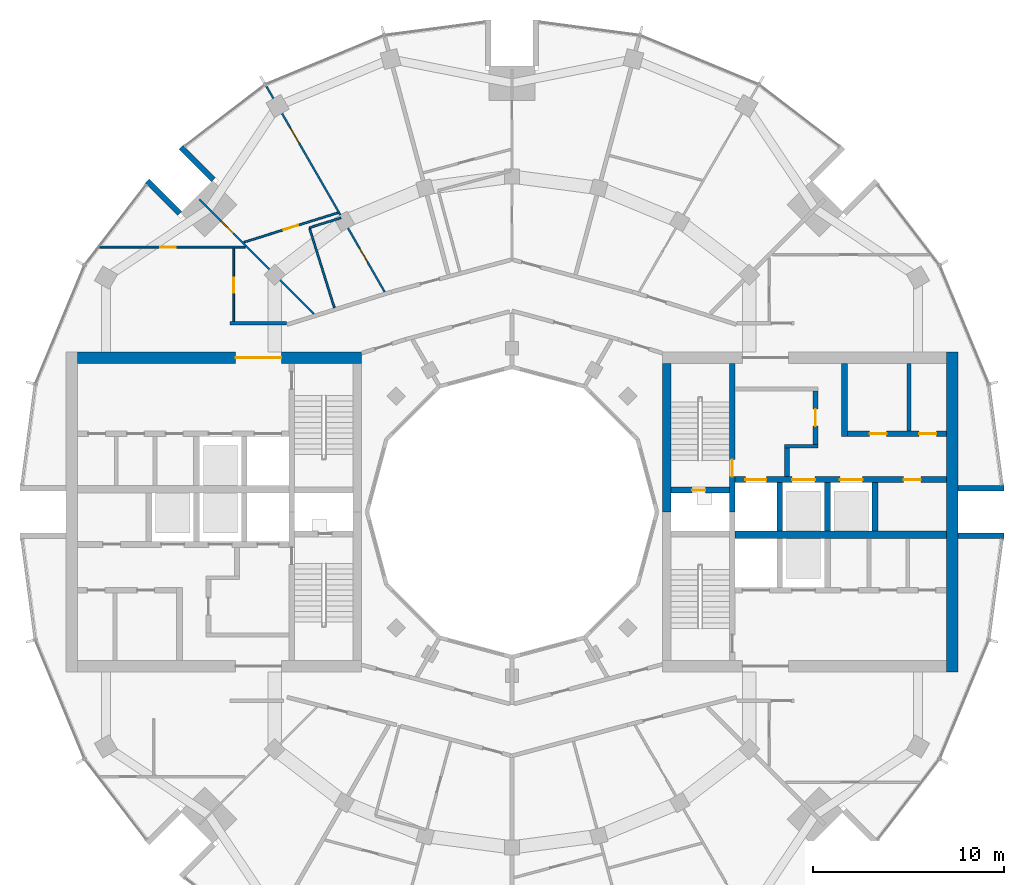
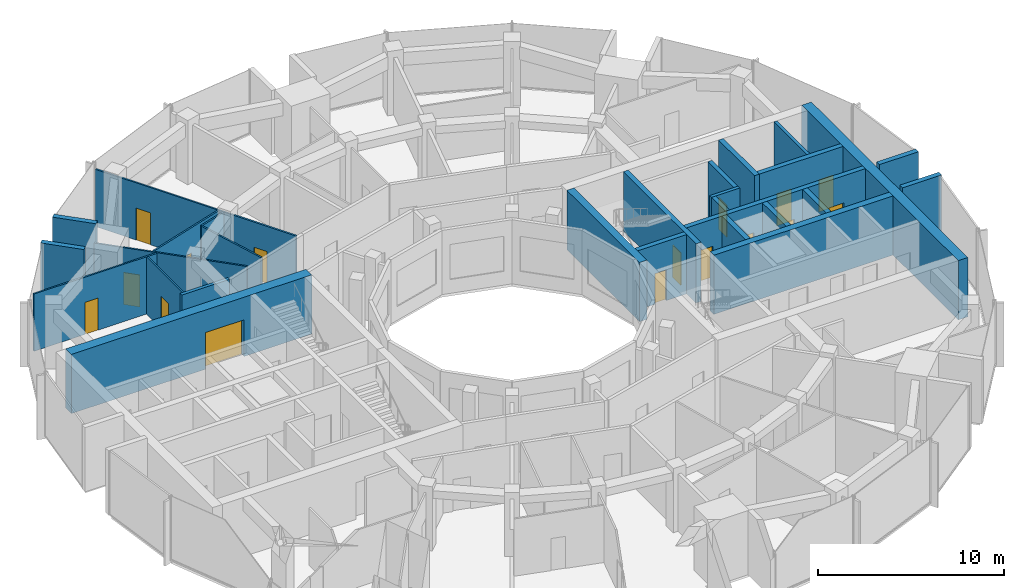
# One storey, part 11 of 15: 28 walls, 16 doors, 16 openings.
"""IFC4 building model written with IfcOpenShell, lengths in metres."""

from ifc_helpers import new_model, si_unit, direction, frame, frame_2d, origin, place, context, subcontext, project, spatial, rectangle, extrude, material, layer, layer_set, type_object, element, fill, save


model = new_model("IFC4")

# Units and contexts
model_context = context("Model", 3, precision=1e-05, world=origin(), true_north=direction((0.0, 1.0)))
body_context = subcontext(model_context, "Body", "Model", "MODEL_VIEW")
ifc_project = project(units=[si_unit("LENGTHUNIT", "METRE"), si_unit("AREAUNIT", "SQUARE_METRE"), si_unit("VOLUMEUNIT", "CUBIC_METRE"), si_unit("PLANEANGLEUNIT", "RADIAN"), si_unit("MASSUNIT", "GRAM", prefix="KILO")], contexts=[model_context])

# Site, building, storey
site_placement = place(None, origin())
site = spatial("IfcSite", under=ifc_project, at=site_placement, CompositionType="ELEMENT")
building_placement = place(site_placement, origin())
building = spatial("IfcBuilding", under=site, at=building_placement, Name="Torre Brocal", CompositionType="ELEMENT")
storey_placement = place(building_placement, frame((0.0, 0.0, 220.89990234375)))
storey = spatial("IfcBuildingStorey", under=building, at=storey_placement, Name="L51", CompositionType="ELEMENT", Elevation=220.89990234375)

# Walls
ifc_material_1 = material(Name="Masonry block", Category="masonry")
ifc_layer_1 = layer(ifc_material_1, 0.199951171875)
ifc_layer_set_1 = layer_set([ifc_layer_1], Name="Masonry block")
wall_type_1 = type_object("IfcWallType", Name="CORE PARTITION 200", PredefinedType="PARTITIONING", material=ifc_layer_set_1)
wall_1_placement = place(storey_placement, frame((100.823974609375, 79.25, 0.0), z_axis=(0.0, 0.0, 1.0), x_axis=(0.0, 1.0, 0.0)))
element("IfcWall", 1, at=wall_1_placement, inside=storey, type_object=wall_type_1, Name="Wall CP200", PredefinedType="PARTITIONING", context=body_context, shape_type="SweptSolid", body=[
    extrude(rectangle(XDim=3.550048828125, YDim=0.199951171875, at=frame_2d((1.77490234375, 0.0))), origin(), (0.0, 0.0, 1.0), 3.880126953125),
])
ifc_material_2 = material(Name="Concrete C60", Category="concrete")
ifc_layer_2 = layer(ifc_material_2, 0.199951171875)
ifc_layer_set_2 = layer_set([ifc_layer_2], Name="Concrete C60")
wall_type_2 = type_object("IfcWallType", Name="CORE WALL 200 C60", PredefinedType="SHEAR", material=ifc_layer_set_2)
wall_2_placement = place(storey_placement, frame((94.300048828125, 78.449951171875, 0.0), z_axis=(0.0, 0.0, 1.0), x_axis=(1.0, 0.0, 0.0)))
element("IfcWall", 2, at=wall_2_placement, inside=storey, type_object=wall_type_2, Name="Wall CW200-60", PredefinedType="SHEAR", context=body_context, shape_type="SweptSolid", body=[
    extrude(rectangle(XDim=1.75, YDim=0.199951171875, at=frame_2d((0.875, 0.0))), origin(), (0.0, 0.0, 1.0), 3.880126953125),
])

# Wall, opening, door
ifc_material_3 = material(Name="Concrete C60", Category="concrete")
ifc_layer_3 = layer(ifc_material_3, 0.25)
ifc_layer_set_3 = layer_set([ifc_layer_3], Name="Concrete C60")
wall_type_3 = type_object("IfcWallType", Name="CORE WALL 250 C60", PredefinedType="SHEAR", material=ifc_layer_set_3)
wall_3_placement = place(storey_placement, frame((95.925048828125, 78.550048828125, 0.0), z_axis=(0.0, 0.0, 1.0), x_axis=(0.0, 1.0, 0.0)))
wall_3 = element("IfcWall", 3, at=wall_3_placement, inside=storey, type_object=wall_type_3, Name="Wall CW250-60", PredefinedType="SHEAR", context=body_context, shape_type="SweptSolid", body=[
    extrude(rectangle(XDim=2.800048828125, YDim=0.25, at=frame_2d((1.39990234375, 0.0))), origin(), (0.0, 0.0, 1.0), 3.880126953125),
])
opening_1_placement = place(wall_3_placement, frame((0.949951171875, 0.0, 0.0)))
opening_1 = element("IfcOpeningElement", 4, at=opening_1_placement, cuts=wall_3, Name="Opening E-D08", PredefinedType="OPENING", context=body_context, shape_type="SweptSolid", body=[
    extrude(rectangle(XDim=0.89990234375, YDim=2.10009765625, at=frame_2d((0.449951171875, 1.050048828125))), frame((0.0, 0.135009765625, 0.0), z_axis=(0.0, -1.0, 0.0), x_axis=(1.0, 0.0, 0.0)), (0.0, 0.0, 1.0), 0.27001953125),
])
ifc_material_4 = material(Name="Steel A653", Category="steel")
door_type_1 = type_object("IfcDoorType", Name="LOBBY DOOR FD120 900X2100", OperationType="SINGLE_SWING_RIGHT", PredefinedType="DOOR", material=ifc_material_4)
door_1_placement = place(opening_1_placement, origin())
door_1 = element("IfcDoor", 5, at=door_1_placement, inside=storey, type_object=door_type_1, Name="Door E-D08", OperationType="SINGLE_SWING_LEFT", OverallHeight=2.10009765625, OverallWidth=0.89990234375, PredefinedType="DOOR", context=body_context, shape_type="SweptSolid", body=[
    extrude(rectangle(XDim=0.89990234375, YDim=2.10009765625, at=frame_2d((0.449951171875, 1.050048828125))), frame((0.0, 0.02490234375, 0.0), z_axis=(0.0, -1.0, 0.0), x_axis=(1.0, 0.0, 0.0)), (0.0, 0.0, 1.0), 0.050048828125),
])
fill(opening_1, door_1)

# Wall
wall_4_placement = place(storey_placement, frame((94.425048828125, 76.85009765625, 0.0), z_axis=(0.0, 0.0, 1.0), x_axis=(0.0, 1.0, 0.0)))
element("IfcWall", 6, at=wall_4_placement, inside=storey, type_object=wall_type_3, Name="Wall CW250-60", PredefinedType="SHEAR", context=body_context, shape_type="SweptSolid", body=[
    extrude(rectangle(XDim=1.5, YDim=0.25, at=frame_2d((0.75, 0.0))), origin(), (0.0, 0.0, 1.0), 3.880126953125),
])

# Wall, opening, door
ifc_material_5 = material(Name="Concrete C60", Category="concrete")
ifc_layer_4 = layer(ifc_material_5, 0.300048828125)
ifc_layer_set_4 = layer_set([ifc_layer_4], Name="Concrete C60")
wall_type_4 = type_object("IfcWallType", Name="CORE WALL 300 C60", PredefinedType="SHEAR", material=ifc_layer_set_4)
wall_5_placement = place(storey_placement, frame((91.550048828125, 75.0, 0.0), z_axis=(0.0, 0.0, 1.0), x_axis=(0.0, 1.0, 0.0)))
wall_5 = element("IfcWall", 7, at=wall_5_placement, inside=storey, type_object=wall_type_4, Name="Wall CW300-60", PredefinedType="SHEAR", context=body_context, shape_type="SweptSolid", body=[
    extrude(rectangle(XDim=7.800048828125, YDim=0.300048828125, at=frame_2d((3.89990234375, 0.0))), origin(), (0.0, 0.0, 1.0), 3.880126953125),
])
opening_2_placement = place(wall_5_placement, frame((1.85009765625, 0.0, 0.0)))
opening_2 = element("IfcOpeningElement", 8, at=opening_2_placement, cuts=wall_5, Name="Opening E-D02", PredefinedType="OPENING", context=body_context, shape_type="SweptSolid", body=[
    extrude(rectangle(XDim=0.89990234375, YDim=2.10009765625, at=frame_2d((0.449951171875, 1.050048828125))), frame((0.0, 0.159912109375, 0.0), z_axis=(0.0, -1.0, 0.0), x_axis=(1.0, 0.0, 0.0)), (0.0, 0.0, 1.0), 0.320068359375),
])
ifc_material_6 = material(Name="Steel A653", Category="steel")
door_type_2 = type_object("IfcDoorType", Name="STAIR DOOR FD120 900X2100", OperationType="SINGLE_SWING_RIGHT", PredefinedType="DOOR", material=ifc_material_6)
door_2_placement = place(opening_2_placement, origin())
door_2 = element("IfcDoor", 9, at=door_2_placement, inside=storey, type_object=door_type_2, Name="Door E-D02", OperationType="SINGLE_SWING_LEFT", OverallHeight=2.10009765625, OverallWidth=0.89990234375, PredefinedType="DOOR", context=body_context, shape_type="SweptSolid", body=[
    extrude(rectangle(XDim=0.89990234375, YDim=2.10009765625, at=frame_2d((0.449951171875, 1.050048828125))), frame((0.0, 0.02490234375, 0.0), z_axis=(0.0, -1.0, 0.0), x_axis=(1.0, 0.0, 0.0)), (0.0, 0.0, 1.0), 0.050048828125),
])
fill(opening_2, door_2)

wall_6_placement = place(storey_placement, frame((88.35009765625, 76.14990234375, 0.0), z_axis=(0.0, 0.0, 1.0), x_axis=(1.0, 0.0, 0.0)))
wall_6 = element("IfcWall", 10, at=wall_6_placement, inside=storey, type_object=wall_type_4, Name="Wall CW300-60", PredefinedType="SHEAR", context=body_context, shape_type="SweptSolid", body=[
    extrude(rectangle(XDim=3.0498046875, YDim=0.300048828125, at=frame_2d((1.52490234375, 0.0))), origin(), (0.0, 0.0, 1.0), 3.880126953125),
])
opening_3_placement = place(wall_6_placement, frame((1.10009765625, 0.0, 0.0)))
opening_3 = element("IfcOpeningElement", 11, at=opening_3_placement, cuts=wall_6, Name="Opening E-D01", PredefinedType="OPENING", context=body_context, shape_type="SweptSolid", body=[
    extrude(rectangle(XDim=0.699951171875, YDim=2.0, at=frame_2d((0.35009765625, 1.0))), frame((0.0, 0.159912109375, 0.0), z_axis=(0.0, -1.0, 0.0), x_axis=(1.0, 0.0, 0.0)), (0.0, 0.0, 1.0), 0.320068359375),
])
ifc_material_7 = material(Name="Steel A653", Category="steel")
door_type_3 = type_object("IfcDoorType", Name="RISER DOOR FD120 700X2000", OperationType="SINGLE_SWING_LEFT", PredefinedType="DOOR", material=ifc_material_7)
door_3_placement = place(opening_3_placement, frame((0.699951171875, 0.0, 0.0), z_axis=(0.0, 0.0, 1.0), x_axis=(-1.0, 0.0, 0.0)))
door_3 = element("IfcDoor", 12, at=door_3_placement, inside=storey, type_object=door_type_3, Name="Door E-D01", OperationType="SINGLE_SWING_RIGHT", OverallHeight=2.0, OverallWidth=0.699951171875, PredefinedType="DOOR", context=body_context, shape_type="SweptSolid", body=[
    extrude(rectangle(XDim=0.699951171875, YDim=2.0, at=frame_2d((0.35009765625, 1.0))), frame((0.0, 0.02490234375, 0.0), z_axis=(0.0, -1.0, 0.0), x_axis=(1.0, 0.0, 0.0)), (0.0, 0.0, 1.0), 0.050048828125),
])
fill(opening_3, door_3)

# Wall, openings, doors
wall_7_placement = place(storey_placement, frame((91.699951171875, 76.699951171875, 0.0), z_axis=(0.0, 0.0, 1.0), x_axis=(1.0, 0.0, 0.0)))
wall_7 = element("IfcWall", 13, at=wall_7_placement, inside=storey, type_object=wall_type_4, Name="Wall CW300-60", PredefinedType="SHEAR", context=body_context, shape_type="SweptSolid", body=[
    extrude(rectangle(XDim=11.10009765625, YDim=0.300048828125, at=frame_2d((5.550048828125, 0.0))), origin(), (0.0, 0.0, 1.0), 3.880126953125),
])
opening_4_placement = place(wall_7_placement, frame((0.550048828125, 0.0, 0.0)))
opening_4 = element("IfcOpeningElement", 14, at=opening_4_placement, cuts=wall_7, Name="Opening LD", PredefinedType="OPENING", context=body_context, shape_type="SweptSolid", body=[
    extrude(rectangle(XDim=1.10009765625, YDim=2.10009765625, at=frame_2d((0.550048828125, 1.050048828125))), frame((0.0, 0.159912109375, 0.0), z_axis=(0.0, -1.0, 0.0), x_axis=(1.0, 0.0, 0.0)), (0.0, 0.0, 1.0), 0.320068359375),
])
opening_5_placement = place(wall_7_placement, frame((3.0, 0.0, 0.0)))
opening_5 = element("IfcOpeningElement", 15, at=opening_5_placement, cuts=wall_7, Name="Opening LD12", PredefinedType="OPENING", context=body_context, shape_type="SweptSolid", body=[
    extrude(rectangle(XDim=1.199951171875, YDim=2.10009765625, at=frame_2d((0.60009765625, 1.050048828125))), frame((0.0, 0.159912109375, 0.0), z_axis=(0.0, -1.0, 0.0), x_axis=(1.0, 0.0, 0.0)), (0.0, 0.0, 1.0), 0.320068359375),
])
opening_6_placement = place(wall_7_placement, frame((5.5, 0.0, 0.0)))
opening_6 = element("IfcOpeningElement", 16, at=opening_6_placement, cuts=wall_7, Name="Opening LD12", PredefinedType="OPENING", context=body_context, shape_type="SweptSolid", body=[
    extrude(rectangle(XDim=1.199951171875, YDim=2.10009765625, at=frame_2d((0.60009765625, 1.050048828125))), frame((0.0, 0.159912109375, 0.0), z_axis=(0.0, -1.0, 0.0), x_axis=(1.0, 0.0, 0.0)), (0.0, 0.0, 1.0), 0.320068359375),
])
opening_7_placement = place(wall_7_placement, frame((8.85009765625, 0.0, 0.0)))
opening_7 = element("IfcOpeningElement", 17, at=opening_7_placement, cuts=wall_7, Name="Opening E-D04", PredefinedType="OPENING", context=body_context, shape_type="SweptSolid", body=[
    extrude(rectangle(XDim=0.89990234375, YDim=2.10009765625, at=frame_2d((0.449951171875, 1.050048828125))), frame((0.0, 0.159912109375, 0.0), z_axis=(0.0, -1.0, 0.0), x_axis=(1.0, 0.0, 0.0)), (0.0, 0.0, 1.0), 0.320068359375),
])
ifc_material_8 = material(Name="Stainless steel AISI 316", Category="steel")
door_type_4 = type_object("IfcDoorType", Name="LIFT LANDING DOOR 1100X2100", OperationType="DOUBLE_DOOR_SLIDING", PredefinedType="DOOR", material=ifc_material_8)
door_4_placement = place(opening_4_placement, origin())
door_4 = element("IfcDoor", 18, at=door_4_placement, inside=storey, type_object=door_type_4, Name="Door LD", OperationType="DOUBLE_DOOR_SLIDING", OverallHeight=2.10009765625, OverallWidth=1.10009765625, PredefinedType="DOOR", context=body_context, shape_type="SweptSolid", body=[
    extrude(rectangle(XDim=1.10009765625, YDim=2.10009765625, at=frame_2d((0.550048828125, 1.050048828125))), frame((0.0, 0.02490234375, 0.0), z_axis=(0.0, -1.0, 0.0), x_axis=(1.0, 0.0, 0.0)), (0.0, 0.0, 1.0), 0.050048828125),
])
fill(opening_4, door_4)
ifc_material_9 = material(Name="Stainless steel AISI 316", Category="steel")
door_type_5 = type_object("IfcDoorType", Name="LIFT LANDING DOOR 1200X2100", OperationType="DOUBLE_DOOR_SLIDING", PredefinedType="DOOR", material=ifc_material_9)
door_5_placement = place(opening_5_placement, origin())
door_5 = element("IfcDoor", 19, at=door_5_placement, inside=storey, type_object=door_type_5, Name="Door LD12", OperationType="DOUBLE_DOOR_SLIDING", OverallHeight=2.10009765625, OverallWidth=1.199951171875, PredefinedType="DOOR", context=body_context, shape_type="SweptSolid", body=[
    extrude(rectangle(XDim=1.199951171875, YDim=2.10009765625, at=frame_2d((0.60009765625, 1.050048828125))), frame((0.0, 0.02490234375, 0.0), z_axis=(0.0, -1.0, 0.0), x_axis=(1.0, 0.0, 0.0)), (0.0, 0.0, 1.0), 0.050048828125),
])
fill(opening_5, door_5)
door_6_placement = place(opening_6_placement, origin())
door_6 = element("IfcDoor", 20, at=door_6_placement, inside=storey, type_object=door_type_5, Name="Door LD12", OperationType="DOUBLE_DOOR_SLIDING", OverallHeight=2.10009765625, OverallWidth=1.199951171875, PredefinedType="DOOR", context=body_context, shape_type="SweptSolid", body=[
    extrude(rectangle(XDim=1.199951171875, YDim=2.10009765625, at=frame_2d((0.60009765625, 1.050048828125))), frame((0.0, 0.02490234375, 0.0), z_axis=(0.0, -1.0, 0.0), x_axis=(1.0, 0.0, 0.0)), (0.0, 0.0, 1.0), 0.050048828125),
])
fill(opening_6, door_6)
ifc_material_10 = material(Name="Steel A653", Category="steel")
door_type_6 = type_object("IfcDoorType", Name="ROOM DOOR FD30S 900X2100", OperationType="SINGLE_SWING_LEFT", PredefinedType="DOOR", material=ifc_material_10)
door_7_placement = place(opening_7_placement, frame((0.89990234375, 0.0, 0.0), z_axis=(0.0, 0.0, 1.0), x_axis=(-1.0, 0.0, 0.0)))
door_7 = element("IfcDoor", 21, at=door_7_placement, inside=storey, type_object=door_type_6, Name="Door E-D04", OperationType="SINGLE_SWING_LEFT", OverallHeight=2.10009765625, OverallWidth=0.89990234375, PredefinedType="DOOR", context=body_context, shape_type="SweptSolid", body=[
    extrude(rectangle(XDim=0.89990234375, YDim=2.10009765625, at=frame_2d((0.449951171875, 1.050048828125))), frame((0.0, 0.02490234375, 0.0), z_axis=(0.0, -1.0, 0.0), x_axis=(1.0, 0.0, 0.0)), (0.0, 0.0, 1.0), 0.050048828125),
])
fill(opening_7, door_7)

# Walls
for number, where, z_axis, x_axis, name in (
    (22, (94.050048828125, 74.0, 0.0), (0.0, 0.0, 1.0), (0.0, 1.0, 0.0), "Wall CW300-60"),
    (23, (96.550048828125, 74.0, 0.0), (0.0, 0.0, 1.0), (0.0, 1.0, 0.0), "Wall CW300-60"),
    (24, (99.050048828125, 74.0, 0.0), (0.0, 0.0, 1.0), (0.0, 1.0, 0.0), "Wall CW300-60"),
):
    element("IfcWall", number, at=place(storey_placement, frame(where, z_axis=z_axis, x_axis=x_axis)), inside=storey, type_object=wall_type_4, Name=name, PredefinedType="SHEAR", context=body_context, shape_type="SweptSolid", body=[
        extrude(rectangle(XDim=2.550048828125, YDim=0.300048828125, at=frame_2d((1.27490234375, 0.0))), origin(), (0.0, 0.0, 1.0), 3.880126953125),
    ])
wall_8_placement = place(storey_placement, frame((97.449951171875, 78.949951171875, 0.0), z_axis=(0.0, 0.0, 1.0), x_axis=(0.0, 1.0, 0.0)))
element("IfcWall", 25, at=wall_8_placement, inside=storey, type_object=wall_type_4, Name="Wall CW300-60", PredefinedType="SHEAR", context=body_context, shape_type="SweptSolid", body=[
    extrude(rectangle(XDim=3.85009765625, YDim=0.300048828125, at=frame_2d((1.925048828125, 0.0))), origin(), (0.0, 0.0, 1.0), 3.880126953125),
])

# Wall, openings, doors
wall_9_placement = place(storey_placement, frame((97.60009765625, 79.10009765625, 0.0), z_axis=(0.0, 0.0, 1.0), x_axis=(1.0, 0.0, 0.0)))
wall_9 = element("IfcWall", 26, at=wall_9_placement, inside=storey, type_object=wall_type_4, Name="Wall CW300-60", PredefinedType="SHEAR", context=body_context, shape_type="SweptSolid", body=[
    extrude(rectangle(XDim=5.199951171875, YDim=0.300048828125, at=frame_2d((2.60009765625, 0.0))), origin(), (0.0, 0.0, 1.0), 3.880126953125),
])
opening_8_placement = place(wall_9_placement, frame((1.162109375, 0.0, 0.0)))
opening_8 = element("IfcOpeningElement", 27, at=opening_8_placement, cuts=wall_9, Name="Opening E-D09", PredefinedType="OPENING", context=body_context, shape_type="SweptSolid", body=[
    extrude(rectangle(XDim=0.89990234375, YDim=2.10009765625, at=frame_2d((0.449951171875, 1.050048828125))), frame((0.0, 0.159912109375, 0.0), z_axis=(0.0, -1.0, 0.0), x_axis=(1.0, 0.0, 0.0)), (0.0, 0.0, 1.0), 0.320068359375),
])
opening_9_placement = place(wall_9_placement, frame((3.761962890625, 0.0, 0.0)))
opening_9 = element("IfcOpeningElement", 28, at=opening_9_placement, cuts=wall_9, Name="Opening E-D10", PredefinedType="OPENING", context=body_context, shape_type="SweptSolid", body=[
    extrude(rectangle(XDim=0.89990234375, YDim=2.10009765625, at=frame_2d((0.449951171875, 1.050048828125))), frame((0.0, 0.159912109375, 0.0), z_axis=(0.0, -1.0, 0.0), x_axis=(1.0, 0.0, 0.0)), (0.0, 0.0, 1.0), 0.320068359375),
])
door_8_placement = place(opening_8_placement, origin())
door_8 = element("IfcDoor", 29, at=door_8_placement, inside=storey, type_object=door_type_6, Name="Door E-D09", OperationType="SINGLE_SWING_RIGHT", OverallHeight=2.10009765625, OverallWidth=0.89990234375, PredefinedType="DOOR", context=body_context, shape_type="SweptSolid", body=[
    extrude(rectangle(XDim=0.89990234375, YDim=2.10009765625, at=frame_2d((0.449951171875, 1.050048828125))), frame((0.0, 0.02490234375, 0.0), z_axis=(0.0, -1.0, 0.0), x_axis=(1.0, 0.0, 0.0)), (0.0, 0.0, 1.0), 0.050048828125),
])
fill(opening_8, door_8)
door_9_placement = place(opening_9_placement, origin())
door_9 = element("IfcDoor", 30, at=door_9_placement, inside=storey, type_object=door_type_6, Name="Door E-D10", OperationType="SINGLE_SWING_LEFT", OverallHeight=2.10009765625, OverallWidth=0.89990234375, PredefinedType="DOOR", context=body_context, shape_type="SweptSolid", body=[
    extrude(rectangle(XDim=0.89990234375, YDim=2.10009765625, at=frame_2d((0.449951171875, 1.050048828125))), frame((0.0, 0.02490234375, 0.0), z_axis=(0.0, -1.0, 0.0), x_axis=(1.0, 0.0, 0.0)), (0.0, 0.0, 1.0), 0.050048828125),
])
fill(opening_9, door_9)

# Walls
ifc_material_11 = material(Name="Concrete C60", Category="concrete")
ifc_layer_5 = layer(ifc_material_11, 0.39990234375)
ifc_layer_set_5 = layer_set([ifc_layer_5], Name="Concrete C60")
wall_type_5 = type_object("IfcWallType", Name="CORE WALL 400 C60", PredefinedType="SHEAR", material=ifc_layer_set_5)
wall_10_placement = place(storey_placement, frame((91.699951171875, 73.800048828125, 0.0), z_axis=(0.0, 0.0, 1.0), x_axis=(1.0, 0.0, 0.0)))
element("IfcWall", 31, at=wall_10_placement, inside=storey, type_object=wall_type_5, Name="Wall CW400-60", PredefinedType="SHEAR", context=body_context, shape_type="SweptSolid", body=[
    extrude(rectangle(XDim=11.10009765625, YDim=0.39990234375, at=frame_2d((5.550048828125, 0.0))), origin(), (0.0, 0.0, 1.0), 3.880126953125),
])
ifc_material_12 = material(Name="Concrete C60", Category="concrete")
ifc_layer_6 = layer(ifc_material_12, 0.449951171875)
ifc_layer_set_6 = layer_set([ifc_layer_6], Name="Concrete C60")
wall_type_6 = type_object("IfcWallType", Name="CORE WALL 450 C60", PredefinedType="SHEAR", material=ifc_layer_set_6)
wall_11_placement = place(storey_placement, frame((88.125, 75.0, 0.0), z_axis=(0.0, 0.0, 1.0), x_axis=(0.0, 1.0, 0.0)))
element("IfcWall", 32, at=wall_11_placement, inside=storey, type_object=wall_type_6, Name="Wall CW450-60", PredefinedType="SHEAR", context=body_context, shape_type="SweptSolid", body=[
    extrude(rectangle(XDim=7.800048828125, YDim=0.449951171875, at=frame_2d((3.89990234375, 0.0))), origin(), (0.0, 0.0, 1.0), 3.880126953125),
])
ifc_material_13 = material(Name="Concrete C60", Category="concrete")
ifc_layer_7 = layer(ifc_material_13, 0.60009765625)
ifc_layer_set_7 = layer_set([ifc_layer_7], Name="Concrete C60")
wall_type_7 = type_object("IfcWallType", Name="CORE WALL 600 C60", PredefinedType="SHEAR", material=ifc_layer_set_7)
wall_12_placement = place(storey_placement, frame((103.10009765625, 66.60009765625, 0.0), z_axis=(0.0, 0.0, 1.0), x_axis=(0.0, 1.0, 0.0)))
element("IfcWall", 33, at=wall_12_placement, inside=storey, type_object=wall_type_7, Name="Wall CW600-60", PredefinedType="SHEAR", context=body_context, shape_type="SweptSolid", body=[
    extrude(rectangle(XDim=16.7998046875, YDim=0.60009765625, at=frame_2d((8.39990234375, 0.0))), origin(), (0.0, 0.0, 1.0), 3.880126953125),
])

# Wall, opening, door
wall_13_placement = place(storey_placement, frame((72.10009765625, 83.10009765625, 0.0), z_axis=(0.0, 0.0, 1.0), x_axis=(-1.0, 0.0, 0.0)))
wall_13 = element("IfcWall", 34, at=wall_13_placement, inside=storey, type_object=wall_type_7, Name="Wall CW600-60", PredefinedType="SHEAR", context=body_context, shape_type="SweptSolid", body=[
    extrude(rectangle(XDim=14.900146484375, YDim=0.60009765625, at=frame_2d((7.4501953125, 0.0))), origin(), (0.0, 0.0, 1.0), 3.880126953125),
])
opening_10_placement = place(wall_13_placement, frame((4.199951171875, 0.0, 0.0)))
opening_10 = element("IfcOpeningElement", 35, at=opening_10_placement, cuts=wall_13, Name="Opening W-D12", PredefinedType="OPENING", context=body_context, shape_type="SweptSolid", body=[
    extrude(rectangle(XDim=2.39990234375, YDim=2.39990234375, at=frame_2d((1.199951171875, 1.199951171875))), frame((0.0, 0.31005859375, 0.0), z_axis=(0.0, -1.0, 0.0), x_axis=(1.0, 0.0, 0.0)), (0.0, 0.0, 1.0), 0.6201171875),
])
ifc_material_14 = material(Name="Steel A653", Category="steel")
door_type_7 = type_object("IfcDoorType", Name="DOUBLE FIRE DOOR FD90 2400X2400", OperationType="DOUBLE_DOOR_SINGLE_SWING", PredefinedType="DOOR", material=ifc_material_14)
door_10_placement = place(opening_10_placement, origin())
door_10 = element("IfcDoor", 36, at=door_10_placement, inside=storey, type_object=door_type_7, Name="Door W-D12", OperationType="DOUBLE_DOOR_SINGLE_SWING", OverallHeight=2.39990234375, OverallWidth=2.39990234375, PredefinedType="DOOR", context=body_context, shape_type="SweptSolid", body=[
    extrude(rectangle(XDim=2.39990234375, YDim=2.39990234375, at=frame_2d((1.199951171875, 1.199951171875))), frame((0.0, 0.02490234375, 0.0), z_axis=(0.0, -1.0, 0.0), x_axis=(1.0, 0.0, 0.0)), (0.0, 0.0, 1.0), 0.050048828125),
])
fill(opening_10, door_10)

# Walls
ifc_material_15 = material(Name="Concrete C60", Category="concrete")
ifc_layer_8 = layer(ifc_material_15, 0.300048828125)
ifc_layer_set_8 = layer_set([ifc_layer_8], Name="Concrete C60")
wall_type_8 = type_object("IfcWallType", Name="NOTCH RETURN WALL 300 C60", PredefinedType="NOTDEFINED", material=ifc_layer_set_8)
for number, where, z_axis, x_axis, name in (
    (37, (103.39990234375, 73.75, 0.0), (0.0, 0.0, 1.0), (1.0, 0.0, 0.0), "NOTCH RETURN WALL"),
    (38, (103.39990234375, 76.25, 0.0), (0.0, 0.0, 1.0), (1.0, 0.0, 0.0), "NOTCH RETURN WALL"),
    (39, (64.337646484375, 92.43017578125, 0.0), (0.0, 0.0, 1.0), (-0.707106781187, 0.707106781187, 0.0), "NOTCH RETURN WALL"),
    (40, (62.56982421875, 90.662353515625, 0.0), (0.0, 0.0, 1.0), (-0.707106781187, 0.707106781187, 0.0), "NOTCH RETURN WALL"),
):
    element("IfcWall", number, at=place(storey_placement, frame(where, z_axis=z_axis, x_axis=x_axis)), inside=storey, type_object=wall_type_8, Name=name, PredefinedType="NOTDEFINED", context=body_context, shape_type="SweptSolid", body=[
        extrude(rectangle(XDim=2.415771484375, YDim=0.300048828125, at=frame_2d((1.2080078125, 0.0))), origin(), (0.0, 0.0, 1.0), 4.2001953125),
    ])

# Wall, opening, door
ifc_material_16 = material(Name="Gypsum board", Category="Gypsum")
ifc_layer_9 = layer(ifc_material_16, 0.10009765625)
ifc_layer_set_9 = layer_set([ifc_layer_9], Name="Gypsum board")
wall_type_9 = type_object("IfcWallType", Name="PARTITION 100", PredefinedType="PARTITIONING", material=ifc_layer_set_9)
wall_14_placement = place(storey_placement, frame((58.37890625, 88.89990234375, 0.0), z_axis=(0.0, 0.0, 1.0), x_axis=(1.0, 0.0, 0.0)))
wall_14 = element("IfcWall", 41, at=wall_14_placement, inside=storey, type_object=wall_type_9, Name="BATHROOM WALL", PredefinedType="PARTITIONING", context=body_context, shape_type="SweptSolid", body=[
    extrude(rectangle(XDim=7.612060546875, YDim=0.10009765625, at=frame_2d((3.80615234375, 0.0))), origin(), (0.0, 0.0, 1.0), 3.75),
])
opening_11_placement = place(wall_14_placement, frame((3.175537109375, 0.0, 0.0)))
opening_11 = element("IfcOpeningElement", 42, at=opening_11_placement, cuts=wall_14, Name="Opening B02-D17", PredefinedType="OPENING", context=body_context, shape_type="SweptSolid", body=[
    extrude(rectangle(XDim=0.800048828125, YDim=2.10009765625, at=frame_2d((0.39990234375, 1.050048828125))), frame((0.0, 0.06005859375, 0.0), z_axis=(0.0, -1.0, 0.0), x_axis=(1.0, 0.0, 0.0)), (0.0, 0.0, 1.0), 0.1201171875),
])
ifc_material_17 = material(Name="Timber", Category="wood")
door_type_8 = type_object("IfcDoorType", Name="BATHROOM DOOR 800X2100", OperationType="SINGLE_SWING_LEFT", PredefinedType="DOOR", material=ifc_material_17)
door_11_placement = place(opening_11_placement, origin())
door_11 = element("IfcDoor", 43, at=door_11_placement, inside=storey, type_object=door_type_8, Name="B02-D17", OperationType="SINGLE_SWING_LEFT", OverallHeight=2.10009765625, OverallWidth=0.800048828125, PredefinedType="DOOR", context=body_context, shape_type="SweptSolid", body=[
    extrude(rectangle(XDim=0.800048828125, YDim=2.10009765625, at=frame_2d((0.39990234375, 1.050048828125))), frame((0.0, 0.02490234375, 0.0), z_axis=(0.0, -1.0, 0.0), x_axis=(1.0, 0.0, 0.0)), (0.0, 0.0, 1.0), 0.050048828125),
])
fill(opening_11, door_11)

wall_15_placement = place(storey_placement, frame((63.595947265625, 91.405517578125, 0.0), z_axis=(0.0, 0.0, 1.0), x_axis=(0.70700623685, -0.707207311228, 0.0)))
wall_15 = element("IfcWall", 44, at=wall_15_placement, inside=storey, type_object=wall_type_9, Name="BATHROOM WALL", PredefinedType="PARTITIONING", context=body_context, shape_type="SweptSolid", body=[
    extrude(rectangle(XDim=8.499267578125, YDim=0.10009765625, at=frame_2d((4.24951171875, 0.0))), origin(), (0.0, 0.0, 1.0), 3.75),
])
opening_12_placement = place(wall_15_placement, frame((1.6318359375, 0.0, 0.0)))
opening_12 = element("IfcOpeningElement", 45, at=opening_12_placement, cuts=wall_15, Name="Opening B02-D15", PredefinedType="OPENING", context=body_context, shape_type="SweptSolid", body=[
    extrude(rectangle(XDim=0.89990234375, YDim=2.10009765625, at=frame_2d((0.449951171875, 1.050048828125))), frame((0.0, 0.06005859375, 0.0), z_axis=(0.0, -1.0, 0.0), x_axis=(1.0, 0.0, 0.0)), (0.0, 0.0, 1.0), 0.1201171875),
])
ifc_material_18 = material(Name="Timber", Category="wood")
door_type_9 = type_object("IfcDoorType", Name="ROOM DOOR 900X2100", OperationType="SINGLE_SWING_LEFT", PredefinedType="DOOR", material=ifc_material_18)
door_12_placement = place(opening_12_placement, frame((0.89990234375, 0.0, 0.0), z_axis=(0.0, 0.0, 1.0), x_axis=(-1.0, 0.0, 0.0)))
door_12 = element("IfcDoor", 46, at=door_12_placement, inside=storey, type_object=door_type_9, Name="B02-D15", OperationType="SINGLE_SWING_LEFT", OverallHeight=2.10009765625, OverallWidth=0.89990234375, PredefinedType="DOOR", context=body_context, shape_type="SweptSolid", body=[
    extrude(rectangle(XDim=0.89990234375, YDim=2.10009765625, at=frame_2d((0.449951171875, 1.050048828125))), frame((0.0, 0.02490234375, 0.0), z_axis=(0.0, -1.0, 0.0), x_axis=(1.0, 0.0, 0.0)), (0.0, 0.0, 1.0), 0.050048828125),
])
fill(opening_12, door_12)

wall_16_placement = place(storey_placement, frame((65.39990234375, 85.0, 0.0), z_axis=(0.0, 0.0, 1.0), x_axis=(0.0, 1.0, 0.0)))
wall_16 = element("IfcWall", 47, at=wall_16_placement, inside=storey, type_object=wall_type_9, Name="BATHROOM WALL", PredefinedType="PARTITIONING", context=body_context, shape_type="SweptSolid", body=[
    extrude(rectangle(XDim=3.85009765625, YDim=0.10009765625, at=frame_2d((1.925048828125, 0.0))), origin(), (0.0, 0.0, 1.0), 3.75),
])
opening_13_placement = place(wall_16_placement, frame((1.5, 0.0, 0.0)))
opening_13 = element("IfcOpeningElement", 48, at=opening_13_placement, cuts=wall_16, Name="Opening B02-D16", PredefinedType="OPENING", context=body_context, shape_type="SweptSolid", body=[
    extrude(rectangle(XDim=0.800048828125, YDim=2.10009765625, at=frame_2d((0.39990234375, 1.050048828125))), frame((0.0, 0.06005859375, 0.0), z_axis=(0.0, -1.0, 0.0), x_axis=(1.0, 0.0, 0.0)), (0.0, 0.0, 1.0), 0.1201171875),
])
door_13_placement = place(opening_13_placement, frame((0.800048828125, 0.0, 0.0), z_axis=(0.0, 0.0, 1.0), x_axis=(-1.0, 0.0, 0.0)))
door_13 = element("IfcDoor", 49, at=door_13_placement, inside=storey, type_object=door_type_8, Name="B02-D16", OperationType="SINGLE_SWING_RIGHT", OverallHeight=2.10009765625, OverallWidth=0.800048828125, PredefinedType="DOOR", context=body_context, shape_type="SweptSolid", body=[
    extrude(rectangle(XDim=0.800048828125, YDim=2.10009765625, at=frame_2d((0.39990234375, 1.050048828125))), frame((0.0, 0.02490234375, 0.0), z_axis=(0.0, -1.0, 0.0), x_axis=(1.0, 0.0, 0.0)), (0.0, 0.0, 1.0), 0.050048828125),
])
fill(opening_13, door_13)

wall_17_placement = place(storey_placement, frame((65.9443359375, 89.156982421875, 0.0), z_axis=(0.0, 0.0, 1.0), x_axis=(0.954235485309, 0.299056246512, 0.0)))
wall_17 = element("IfcWall", 50, at=wall_17_placement, inside=storey, type_object=wall_type_9, Name="BATHROOM WALL", PredefinedType="PARTITIONING", context=body_context, shape_type="SweptSolid", body=[
    extrude(rectangle(XDim=5.159423828125, YDim=0.10009765625, at=frame_2d((2.57958984375, 0.0))), origin(), (0.0, 0.0, 1.0), 3.75),
])
opening_14_placement = place(wall_17_placement, frame((2.169921875, 0.0, 0.0)))
opening_14 = element("IfcOpeningElement", 51, at=opening_14_placement, cuts=wall_17, Name="Opening B02-D13", PredefinedType="OPENING", context=body_context, shape_type="SweptSolid", body=[
    extrude(rectangle(XDim=0.800048828125, YDim=2.10009765625, at=frame_2d((0.39990234375, 1.050048828125))), frame((0.0, 0.06005859375, 0.0), z_axis=(0.0, -1.0, 0.0), x_axis=(1.0, 0.0, 0.0)), (0.0, 0.0, 1.0), 0.1201171875),
])
door_14_placement = place(opening_14_placement, frame((0.800048828125, 0.0, 0.0), z_axis=(0.0, 0.0, 1.0), x_axis=(-1.0, 0.0, 0.0)))
door_14 = element("IfcDoor", 52, at=door_14_placement, inside=storey, type_object=door_type_8, Name="B02-D13", OperationType="SINGLE_SWING_LEFT", OverallHeight=2.10009765625, OverallWidth=0.800048828125, PredefinedType="DOOR", context=body_context, shape_type="SweptSolid", body=[
    extrude(rectangle(XDim=0.800048828125, YDim=2.10009765625, at=frame_2d((0.39990234375, 1.050048828125))), frame((0.0, 0.02490234375, 0.0), z_axis=(0.0, -1.0, 0.0), x_axis=(1.0, 0.0, 0.0)), (0.0, 0.0, 1.0), 0.050048828125),
])
fill(opening_14, door_14)

# Wall, openings, doors
wall_18_placement = place(storey_placement, frame((67.10888671875, 97.345703125, 0.0), z_axis=(0.0, 0.0, 1.0), x_axis=(0.498583439824, -0.866841711925, 0.0)))
wall_18 = element("IfcWall", 53, at=wall_18_placement, inside=storey, type_object=wall_type_9, Name="BATHROOM WALL", PredefinedType="PARTITIONING", context=body_context, shape_type="SweptSolid", body=[
    extrude(rectangle(XDim=12.455810546875, YDim=0.10009765625, at=frame_2d((6.22802734375, 0.0))), origin(), (0.0, 0.0, 1.0), 3.75),
])
opening_15_placement = place(wall_18_placement, frame((2.5380859375, 0.0, 0.0)))
opening_15 = element("IfcOpeningElement", 54, at=opening_15_placement, cuts=wall_18, Name="Opening B02-D12", PredefinedType="OPENING", context=body_context, shape_type="SweptSolid", body=[
    extrude(rectangle(XDim=0.89990234375, YDim=2.10009765625, at=frame_2d((0.449951171875, 1.050048828125))), frame((0.0, 0.06005859375, 0.0), z_axis=(0.0, -1.0, 0.0), x_axis=(1.0, 0.0, 0.0)), (0.0, 0.0, 1.0), 0.1201171875),
])
opening_16_placement = place(wall_18_placement, frame((9.85009765625, 0.0, 0.0)))
opening_16 = element("IfcOpeningElement", 55, at=opening_16_placement, cuts=wall_18, Name="Opening B02-D14", PredefinedType="OPENING", context=body_context, shape_type="SweptSolid", body=[
    extrude(rectangle(XDim=0.800048828125, YDim=2.10009765625, at=frame_2d((0.39990234375, 1.050048828125))), frame((0.0, 0.06005859375, 0.0), z_axis=(0.0, -1.0, 0.0), x_axis=(1.0, 0.0, 0.0)), (0.0, 0.0, 1.0), 0.1201171875),
])
door_15_placement = place(opening_16_placement, frame((0.800048828125, 0.0, 0.0), z_axis=(0.0, 0.0, 1.0), x_axis=(-1.0, 0.0, 0.0)))
door_15 = element("IfcDoor", 56, at=door_15_placement, inside=storey, type_object=door_type_8, Name="B02-D14", OperationType="SINGLE_SWING_LEFT", OverallHeight=2.10009765625, OverallWidth=0.800048828125, PredefinedType="DOOR", context=body_context, shape_type="SweptSolid", body=[
    extrude(rectangle(XDim=0.800048828125, YDim=2.10009765625, at=frame_2d((0.39990234375, 1.050048828125))), frame((0.0, 0.02490234375, 0.0), z_axis=(0.0, -1.0, 0.0), x_axis=(1.0, 0.0, 0.0)), (0.0, 0.0, 1.0), 0.050048828125),
])
fill(opening_16, door_15)
door_16_placement = place(opening_15_placement, frame((0.89990234375, 0.0, 0.0), z_axis=(0.0, 0.0, 1.0), x_axis=(-1.0, 0.0, 0.0)))
door_16 = element("IfcDoor", 57, at=door_16_placement, inside=storey, type_object=door_type_9, Name="B02-D12", OperationType="SINGLE_SWING_RIGHT", OverallHeight=2.10009765625, OverallWidth=0.89990234375, PredefinedType="DOOR", context=body_context, shape_type="SweptSolid", body=[
    extrude(rectangle(XDim=0.89990234375, YDim=2.10009765625, at=frame_2d((0.449951171875, 1.050048828125))), frame((0.0, 0.02490234375, 0.0), z_axis=(0.0, -1.0, 0.0), x_axis=(1.0, 0.0, 0.0)), (0.0, 0.0, 1.0), 0.050048828125),
])
fill(opening_15, door_16)

# Walls
wall_19_placement = place(storey_placement, frame((69.381103515625, 89.8671875, 0.0), z_axis=(0.0, 0.0, 1.0), x_axis=(0.29908659099, -0.954225974856, 0.0)))
element("IfcWall", 58, at=wall_19_placement, inside=storey, type_object=wall_type_9, Name="BATHROOM WALL", PredefinedType="PARTITIONING", context=body_context, shape_type="SweptSolid", body=[
    extrude(rectangle(XDim=4.35009765625, YDim=0.10009765625, at=frame_2d((2.175048828125, 0.0))), origin(), (0.0, 0.0, 1.0), 3.75),
])
wall_20_placement = place(storey_placement, frame((69.365966796875, 89.9150390625, 0.0), z_axis=(0.0, 0.0, 1.0), x_axis=(0.954163830168, 0.299284789457, 0.0)))
element("IfcWall", 59, at=wall_20_placement, inside=storey, type_object=wall_type_9, Name="BATHROOM WALL", PredefinedType="PARTITIONING", context=body_context, shape_type="SweptSolid", body=[
    extrude(rectangle(XDim=1.734375, YDim=0.10009765625, at=frame_2d((0.8671875, 0.0))), origin(), (0.0, 0.0, 1.0), 3.75),
])
ifc_material_19 = material(Name="Gypsum board", Category="Gypsum")
ifc_layer_10 = layer(ifc_material_19, 0.199951171875)
ifc_layer_set_10 = layer_set([ifc_layer_10], Name="Gypsum board")
wall_type_10 = type_object("IfcWallType", Name="PARTITION 200 EI60", PredefinedType="PARTITIONING", material=ifc_layer_set_10)
wall_21_placement = place(storey_placement, frame((65.199951171875, 84.89990234375, 0.0), z_axis=(0.0, 0.0, 1.0), x_axis=(1.0, 0.0, 0.0)))
element("IfcWall", 60, at=wall_21_placement, inside=storey, type_object=wall_type_10, Name="GUESTROOM CORRIDOR WALL", PredefinedType="PARTITIONING", context=body_context, shape_type="SweptSolid", body=[
    extrude(rectangle(XDim=2.969970703125, YDim=0.199951171875, at=frame_2d((1.48486328125, 0.0))), origin(), (0.0, 0.0, 1.0), 3.75),
])

save(model, "model.ifc")
